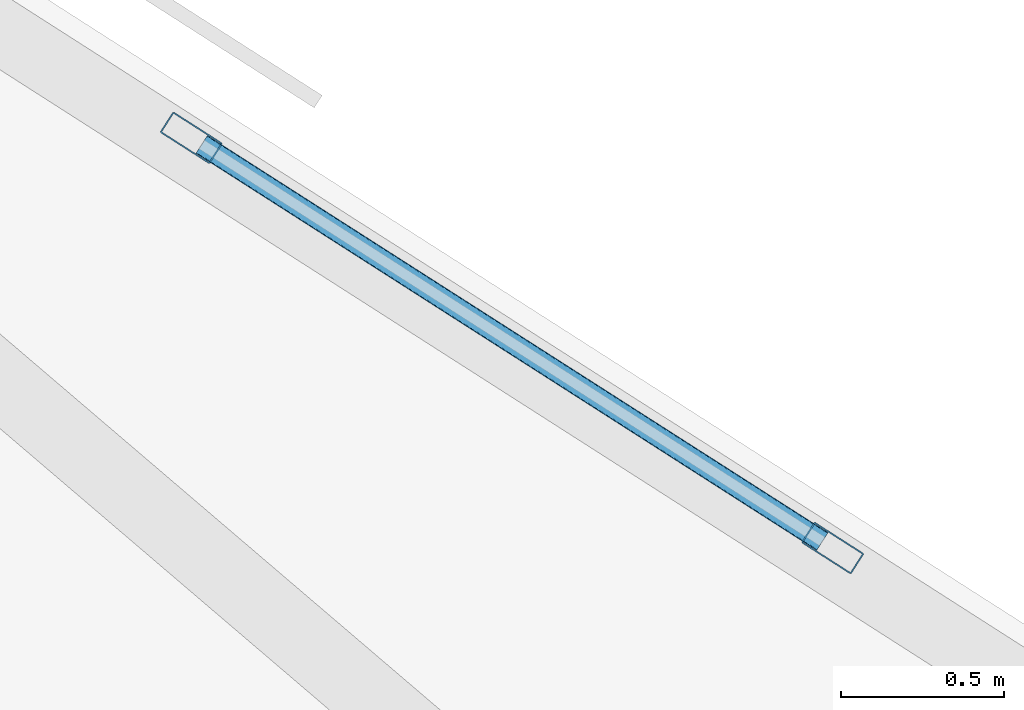
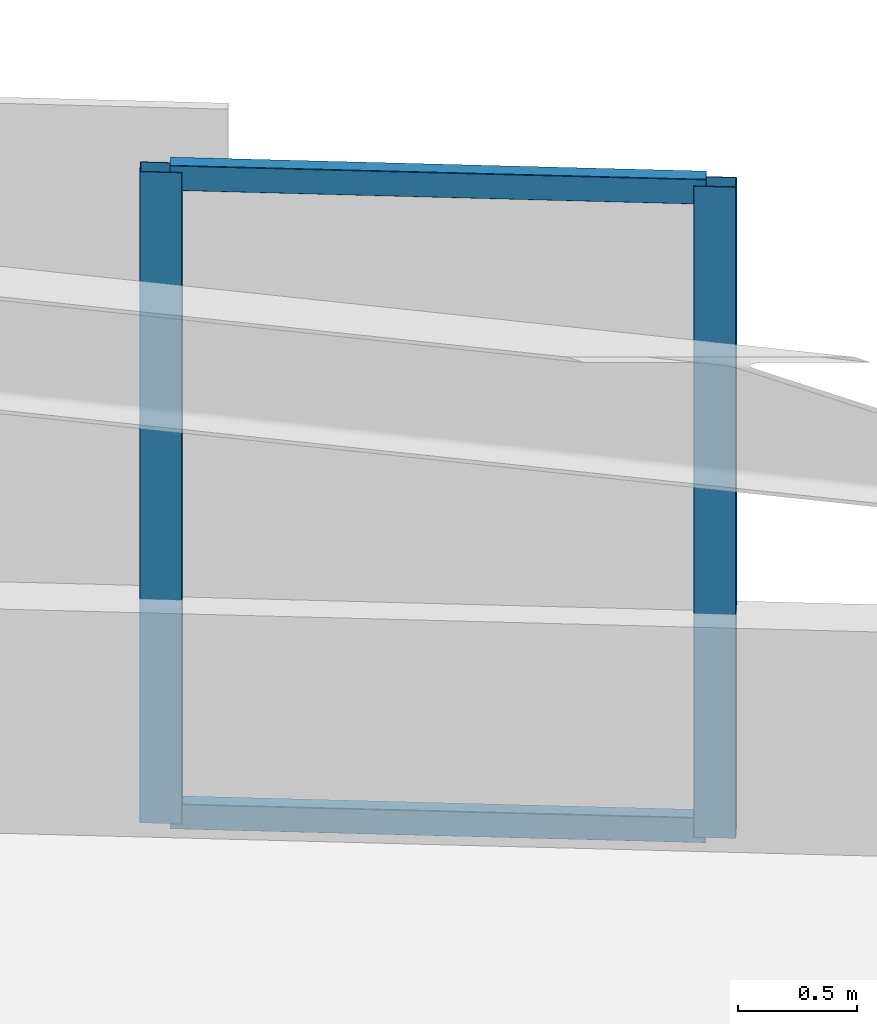
# One storey, part 2 of 16: 4 members, 1 element without a shape of its own.
"""IFC4 building model written with IfcOpenShell, lengths in metres."""

from ifc_helpers import new_model, si_unit, direction, frame, origin, origin_2d, place, context, subcontext, project, spatial, hollow_rectangle, extrude, material, material_profile, profile_set, type_object, element, aggregate, save


model = new_model("IFC4")

# Units and contexts
model_context = context("Model", 3, precision=1e-05, world=origin(), true_north=direction((0.0, 1.0)))
body_context = subcontext(model_context, "Body", "Model", "MODEL_VIEW")
ifc_project = project(units=[si_unit("LENGTHUNIT", "METRE"), si_unit("AREAUNIT", "SQUARE_METRE"), si_unit("VOLUMEUNIT", "CUBIC_METRE"), si_unit("PLANEANGLEUNIT", "RADIAN"), si_unit("MASSUNIT", "GRAM", prefix="KILO")], contexts=[model_context])

# Site, building, storey
site_placement = place(None, origin())
site = spatial("IfcSite", under=ifc_project, at=site_placement, CompositionType="ELEMENT")
building_placement = place(site_placement, origin())
building = spatial("IfcBuilding", under=site, at=building_placement, Name="Narakoshi Arena Tower", CompositionType="ELEMENT")
storey_placement = place(building_placement, frame((0.0, 0.0, 88.5)))
storey = spatial("IfcBuildingStorey", under=building, at=storey_placement, Name="L23", CompositionType="ELEMENT", Elevation=88.5)

# Curtain wall, members
ifc_material = material(Name="Anodised bronze aluminium 6063-T6", Category="aluminium")
curtain_wall_type = type_object("IfcCurtainWallType", Name="CW-HYP-LOW", PredefinedType="NOTDEFINED", material=ifc_material)
curtain_wall_placement = place(storey_placement, origin())
curtain_wall = element("IfcCurtainWall", 1, at=curtain_wall_placement, inside=storey, type_object=curtain_wall_type, Name="L23 Folded Hypotenuse Curtain Wall 2-1", PredefinedType="NOTDEFINED")
ifc_material_profile_1 = material_profile(ifc_material, hollow_rectangle(XDim=0.074951171875, YDim=0.179931640625, WallThickness=0.00390625, OuterFilletRadius=0.0048828125, at=origin_2d()), Name="MUL180x75x4")
ifc_profile_set_1 = profile_set([ifc_material_profile_1], Name="Anodised bronze aluminium 6063-T6")
member_type_1 = type_object("IfcMemberType", Name="MEM-MUL-180", PredefinedType="MULLION", material=ifc_profile_set_1)
member_1_placement = place(storey_placement, frame((91.90234375, 60.801025390625, 0.0), z_axis=(0.0, 0.0, 1.0), x_axis=(-0.538822365864, -0.842419407448, 0.0)))
member_1 = element("IfcMember", 2, at=member_1_placement, type_object=member_type_1, Name="CW-01 mullion 1", PredefinedType="MULLION", context=body_context, shape_type="SweptSolid", body=[
    extrude(hollow_rectangle(XDim=0.074951171875, YDim=0.179931640625, WallThickness=0.00390625, OuterFilletRadius=0.0048828125, at=origin_2d()), origin(), (0.0, 0.0, 1.0), 3.340087890625),
])
member_2_placement = place(storey_placement, frame((89.93994140625, 62.056396484375, 0.0), z_axis=(0.0, 0.0, 1.0), x_axis=(-0.538822365864, -0.842419407448, 0.0)))
member_2 = element("IfcMember", 3, at=member_2_placement, type_object=member_type_1, Name="CW-01 mullion 2", PredefinedType="MULLION", context=body_context, shape_type="SweptSolid", body=[
    extrude(hollow_rectangle(XDim=0.074951171875, YDim=0.179931640625, WallThickness=0.00390625, OuterFilletRadius=0.0048828125, at=origin_2d()), origin(), (0.0, 0.0, 1.0), 3.340087890625),
])
ifc_material_profile_2 = material_profile(ifc_material, hollow_rectangle(XDim=0.06494140625, YDim=0.1298828125, WallThickness=0.00390625, OuterFilletRadius=0.0048828125, at=origin_2d()), Name="TRN130x65x4")
ifc_profile_set_2 = profile_set([ifc_material_profile_2], Name="Anodised bronze aluminium 6063-T6")
member_type_2 = type_object("IfcMemberType", Name="MEM-TRN-130", PredefinedType="USERDEFINED", material=ifc_profile_set_2)
member_3_placement = place(storey_placement, frame((91.870849609375, 60.8212890625, 0.032470703125), z_axis=(-0.842397246246, 0.538857012125, 0.0), x_axis=(-0.538857012125, -0.842397246246, 0.0)))
member_3 = element("IfcMember", 4, at=member_3_placement, type_object=member_type_2, Name="CW-01 transom 1.1", ObjectType="TRANSOM", PredefinedType="USERDEFINED", context=body_context, shape_type="SweptSolid", body=[
    extrude(hollow_rectangle(XDim=0.06494140625, YDim=0.1298828125, WallThickness=0.00390625, OuterFilletRadius=0.0048828125, at=origin_2d()), origin(), (0.0, 0.0, 1.0), 2.25439453125),
])
member_4_placement = place(storey_placement, frame((91.870849609375, 60.8212890625, 3.3076171875), z_axis=(-0.842397246246, 0.538857012125, 0.0), x_axis=(-0.538857012125, -0.842397246246, 0.0)))
member_4 = element("IfcMember", 5, at=member_4_placement, type_object=member_type_2, Name="CW-01 transom 1.2", ObjectType="TRANSOM", PredefinedType="USERDEFINED", context=body_context, shape_type="SweptSolid", body=[
    extrude(hollow_rectangle(XDim=0.06494140625, YDim=0.1298828125, WallThickness=0.00390625, OuterFilletRadius=0.0048828125, at=origin_2d()), origin(), (0.0, 0.0, 1.0), 2.25439453125),
])
aggregate(curtain_wall, [member_1, member_2, member_3, member_4])

save(model, "model.ifc")
